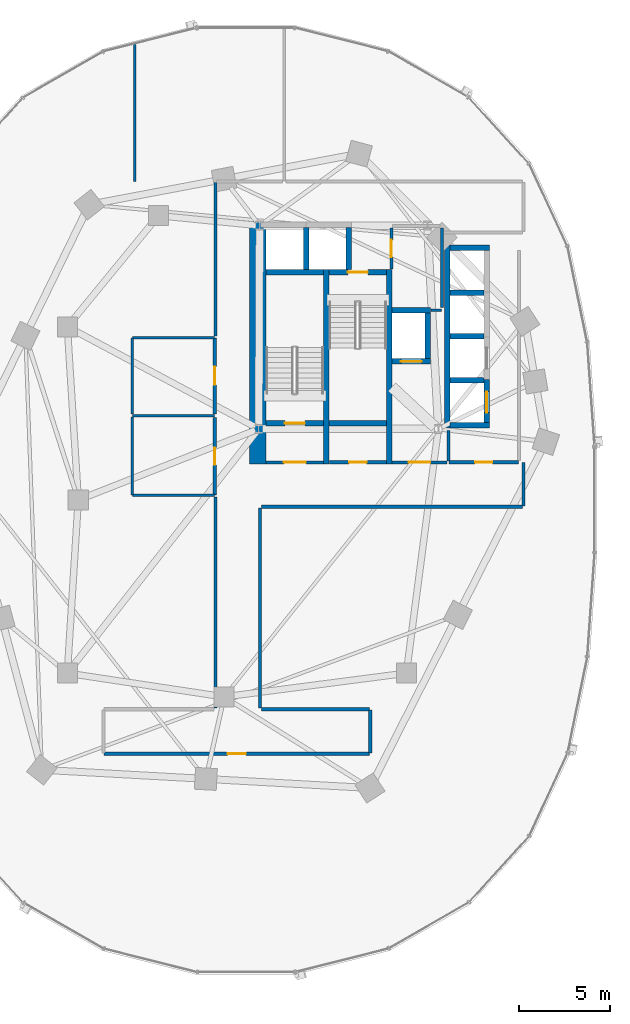
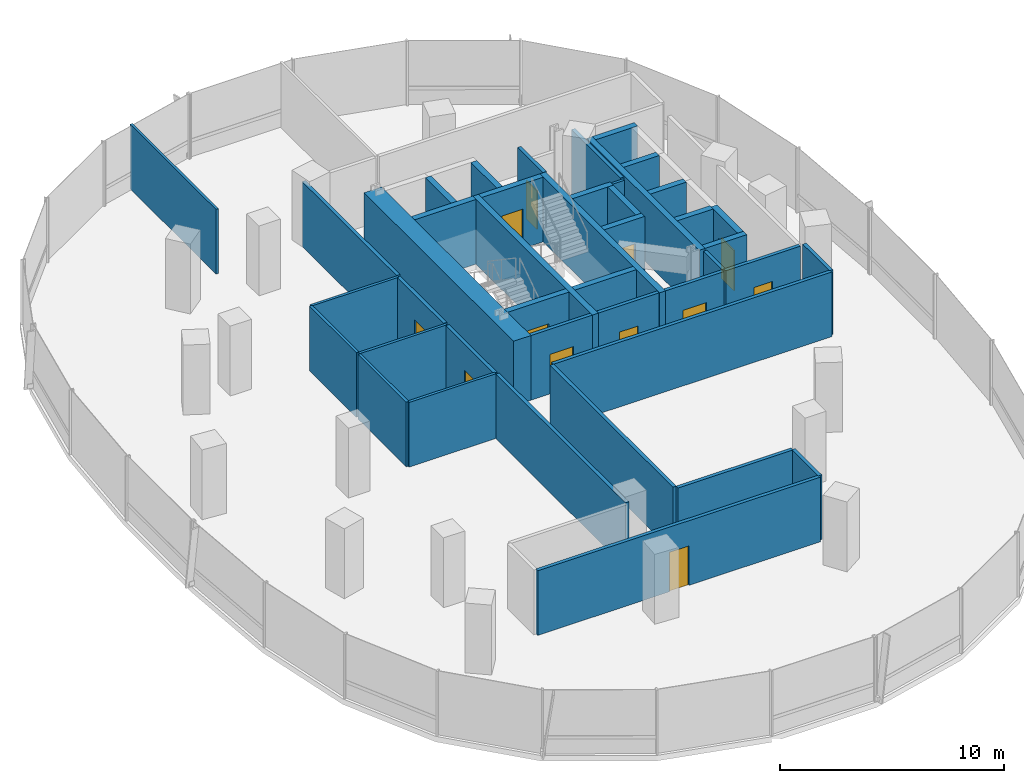
# One storey, part 11 of 21: 43 walls, 12 doors, 12 openings.
"""IFC4 building model written with IfcOpenShell, lengths in metres."""

from ifc_helpers import new_model, si_unit, direction, frame, frame_2d, origin, place, context, subcontext, project, spatial, rectangle, extrude, material, layer, layer_set, type_object, element, fill, save


model = new_model("IFC4")

# Units and contexts
model_context = context("Model", 3, precision=1e-05, world=origin(), true_north=direction((0.0, 1.0)))
body_context = subcontext(model_context, "Body", "Model", "MODEL_VIEW")
ifc_project = project(units=[si_unit("LENGTHUNIT", "METRE"), si_unit("AREAUNIT", "SQUARE_METRE"), si_unit("VOLUMEUNIT", "CUBIC_METRE"), si_unit("PLANEANGLEUNIT", "RADIAN"), si_unit("MASSUNIT", "GRAM", prefix="KILO"), si_unit("THERMODYNAMICTEMPERATUREUNIT", "KELVIN"), si_unit("POWERUNIT", "WATT")], contexts=[model_context])

# Site, building, storey
site_placement = place(None, origin())
site = spatial("IfcSite", under=ifc_project, at=site_placement, CompositionType="ELEMENT")
building_placement = place(site_placement, origin())
building = spatial("IfcBuilding", under=site, at=building_placement, Name="Cundina Bronze Exchange", CompositionType="ELEMENT")
storey_placement = place(building_placement, frame((0.0, 0.0, 73.39990234375)))
storey = spatial("IfcBuildingStorey", under=building, at=storey_placement, Name="L18", CompositionType="ELEMENT", Elevation=73.39990234375)

# Wall
ifc_material_1 = material(Name="Gypsum Fireboard Partition EI120")
ifc_layer_1 = layer(ifc_material_1, 0.179931640625, Name="Gypsum Fireboard Partition EI120")
ifc_layer_set_1 = layer_set([ifc_layer_1], Name="Gypsum Fireboard Partition EI120")
wall_type_1 = type_object("IfcWallType", Name="WL-COR-180", PredefinedType="PARTITIONING", material=ifc_layer_set_1)
wall_1_placement = place(storey_placement, frame((-20.889892578125, 2.14990234375, 0.0), z_axis=(0.0, 0.0, 1.0), x_axis=(0.0, 1.0, 0.0)))
element("IfcWall", 1, at=wall_1_placement, inside=storey, type_object=wall_type_1, Name="L18 W Firefighting Lobby Side Wall", PredefinedType="PARTITIONING", context=body_context, shape_type="SweptSolid", body=[
    extrude(rectangle(XDim=1.650146484375, YDim=0.179931640625, at=frame_2d((0.8251953125, 0.0))), origin(), (0.0, 0.0, 1.0), 3.52001953125),
])

# Wall, opening, door
wall_2_placement = place(storey_placement, frame((-23.97998046875, 2.06005859375, 0.0), z_axis=(0.0, 0.0, 1.0), x_axis=(1.0, 0.0, 0.0)))
wall_2 = element("IfcWall", 2, at=wall_2_placement, inside=storey, type_object=wall_type_1, Name="L18 W Firefighting Lobby Exit Wall", PredefinedType="PARTITIONING", context=body_context, shape_type="SweptSolid", body=[
    extrude(rectangle(XDim=3.0, YDim=0.179931640625, at=frame_2d((1.5, 0.0))), origin(), (0.0, 0.0, 1.0), 3.52001953125),
])
opening_1_placement = place(wall_2_placement, frame((0.89990234375, 0.0, 0.0)))
opening_1 = element("IfcOpeningElement", 3, at=opening_1_placement, cuts=wall_2, Name="Opening DF-01", PredefinedType="OPENING", context=body_context, shape_type="SweptSolid", body=[
    extrude(rectangle(XDim=1.199951171875, YDim=2.14990234375, at=frame_2d((0.60009765625, 1.074951171875))), frame((0.0, 0.099853515625, 0.0), z_axis=(0.0, -1.0, 0.0), x_axis=(1.0, 0.0, 0.0)), (0.0, 0.0, 1.0), 0.199951171875),
])
ifc_material_2 = material(Name="Steel ASTM A36 Painted", Category="steel")
door_type_1 = type_object("IfcDoorType", Name="DR-FFL-1200", OperationType="NOTDEFINED", PredefinedType="DOOR", material=ifc_material_2)
door_1_placement = place(opening_1_placement, origin())
door_1 = element("IfcDoor", 4, at=door_1_placement, inside=storey, type_object=door_type_1, Name="L18 W Firefighting Lobby Door", OperationType="SINGLE_SWING_RIGHT", OverallHeight=2.14990234375, OverallWidth=1.199951171875, PredefinedType="DOOR", context=body_context, shape_type="SweptSolid", body=[
    extrude(rectangle(XDim=1.199951171875, YDim=2.14990234375, at=frame_2d((0.60009765625, 1.074951171875))), frame((0.0, 0.02490234375, 0.0), z_axis=(0.0, -1.0, 0.0), x_axis=(1.0, 0.0, 0.0)), (0.0, 0.0, 1.0), 0.050048828125),
])
fill(opening_1, door_1)

wall_3_placement = place(storey_placement, frame((-30.89990234375, 2.06005859375, 0.0), z_axis=(0.0, 0.0, 1.0), x_axis=(1.0, 0.0, 0.0)))
wall_3 = element("IfcWall", 5, at=wall_3_placement, inside=storey, type_object=wall_type_1, Name="L18 W Stair Vestibule Exit Wall", PredefinedType="PARTITIONING", context=body_context, shape_type="SweptSolid", body=[
    extrude(rectangle(XDim=3.159912109375, YDim=0.179931640625, at=frame_2d((1.580078125, 0.0))), origin(), (0.0, 0.0, 1.0), 3.52001953125),
])
opening_2_placement = place(wall_3_placement, frame((0.97998046875, 0.0, 0.0)))
opening_2 = element("IfcOpeningElement", 6, at=opening_2_placement, cuts=wall_3, Name="Opening DF-01", PredefinedType="OPENING", context=body_context, shape_type="SweptSolid", body=[
    extrude(rectangle(XDim=1.199951171875, YDim=2.14990234375, at=frame_2d((0.60009765625, 1.074951171875))), frame((0.0, 0.099853515625, 0.0), z_axis=(0.0, -1.0, 0.0), x_axis=(1.0, 0.0, 0.0)), (0.0, 0.0, 1.0), 0.199951171875),
])
door_2_placement = place(opening_2_placement, origin())
door_2 = element("IfcDoor", 7, at=door_2_placement, inside=storey, type_object=door_type_1, Name="L18 W Stair Vestibule Door", OperationType="SINGLE_SWING_LEFT", OverallHeight=2.14990234375, OverallWidth=1.199951171875, PredefinedType="DOOR", context=body_context, shape_type="SweptSolid", body=[
    extrude(rectangle(XDim=1.199951171875, YDim=2.14990234375, at=frame_2d((0.60009765625, 1.074951171875))), frame((0.0, 0.02490234375, 0.0), z_axis=(0.0, -1.0, 0.0), x_axis=(1.0, 0.0, 0.0)), (0.0, 0.0, 1.0), 0.050048828125),
])
fill(opening_2, door_2)

wall_4_placement = place(storey_placement, frame((-20.8701171875, 2.070068359375, 0.0), z_axis=(0.0, 0.0, 1.0), x_axis=(1.0, 0.0, 0.0)))
wall_4 = element("IfcWall", 8, at=wall_4_placement, inside=storey, type_object=wall_type_1, Name="L18 Interior Partition 002", PredefinedType="PARTITIONING", context=body_context, shape_type="SweptSolid", body=[
    extrude(rectangle(XDim=3.830078125, YDim=0.179931640625, at=frame_2d((1.9150390625, 0.0))), origin(), (0.0, 0.0, 1.0), 3.52001953125),
])
opening_3_placement = place(wall_4_placement, frame((1.43994140625, 0.0, 0.0)))
opening_3 = element("IfcOpeningElement", 9, at=opening_3_placement, cuts=wall_4, Name="Opening DW-01", PredefinedType="OPENING", context=body_context, shape_type="SweptSolid", body=[
    extrude(rectangle(XDim=0.949951171875, YDim=2.10009765625, at=frame_2d((0.47509765625, 1.050048828125))), frame((0.0, 0.099853515625, 0.0), z_axis=(0.0, -1.0, 0.0), x_axis=(1.0, 0.0, 0.0)), (0.0, 0.0, 1.0), 0.199951171875),
])
ifc_material_3 = material(Name="Solid Andean Oak Timber Grade A", Category="wood")
door_type_2 = type_object("IfcDoorType", Name="DR-WC-950", OperationType="NOTDEFINED", PredefinedType="DOOR", material=ifc_material_3)
door_3_placement = place(opening_3_placement, origin())
door_3 = element("IfcDoor", 10, at=door_3_placement, inside=storey, type_object=door_type_2, Name="L18 Interior Door 002", OperationType="SINGLE_SWING_LEFT", OverallHeight=2.10009765625, OverallWidth=0.949951171875, PredefinedType="DOOR", context=body_context, shape_type="SweptSolid", body=[
    extrude(rectangle(XDim=0.949951171875, YDim=2.10009765625, at=frame_2d((0.47509765625, 1.050048828125))), frame((0.0, 0.02490234375, 0.0), z_axis=(0.0, -1.0, 0.0), x_axis=(1.0, 0.0, 0.0)), (0.0, 0.0, 1.0), 0.050048828125),
])
fill(opening_3, door_3)

# Wall
wall_5_placement = place(storey_placement, frame((-21.25, 10.570068359375, 0.0), z_axis=(0.0, 0.0, 1.0), x_axis=(0.0, 1.0, 0.0)))
element("IfcWall", 11, at=wall_5_placement, inside=storey, type_object=wall_type_1, Name="L18 Interior Partition 004", PredefinedType="PARTITIONING", context=body_context, shape_type="SweptSolid", body=[
    extrude(rectangle(XDim=4.35986328125, YDim=0.179931640625, at=frame_2d((2.179931640625, 0.0))), origin(), (0.0, 0.0, 1.0), 3.52001953125),
])

# Wall, opening, door
wall_6_placement = place(storey_placement, frame((-27.419921875, 2.070068359375, 0.0), z_axis=(0.0, 0.0, 1.0), x_axis=(1.0, 0.0, 0.0)))
wall_6 = element("IfcWall", 12, at=wall_6_placement, inside=storey, type_object=wall_type_1, Name="L18 Interior Partition 006", PredefinedType="PARTITIONING", context=body_context, shape_type="SweptSolid", body=[
    extrude(rectangle(XDim=3.119873046875, YDim=0.179931640625, at=frame_2d((1.56005859375, 0.0))), origin(), (0.0, 0.0, 1.0), 3.52001953125),
])
opening_4_placement = place(wall_6_placement, frame((1.0849609375, 0.0, 0.0)))
opening_4 = element("IfcOpeningElement", 13, at=opening_4_placement, cuts=wall_6, Name="Opening DW-01", PredefinedType="OPENING", context=body_context, shape_type="SweptSolid", body=[
    extrude(rectangle(XDim=0.949951171875, YDim=2.10009765625, at=frame_2d((0.47509765625, 1.050048828125))), frame((0.0, 0.099853515625, 0.0), z_axis=(0.0, -1.0, 0.0), x_axis=(1.0, 0.0, 0.0)), (0.0, 0.0, 1.0), 0.199951171875),
])
door_4_placement = place(opening_4_placement, origin())
door_4 = element("IfcDoor", 14, at=door_4_placement, inside=storey, type_object=door_type_2, Name="L18 Interior Door 006", OperationType="SINGLE_SWING_LEFT", OverallHeight=2.10009765625, OverallWidth=0.949951171875, PredefinedType="DOOR", context=body_context, shape_type="SweptSolid", body=[
    extrude(rectangle(XDim=0.949951171875, YDim=2.10009765625, at=frame_2d((0.47509765625, 1.050048828125))), frame((0.0, 0.02490234375, 0.0), z_axis=(0.0, -1.0, 0.0), x_axis=(1.0, 0.0, 0.0)), (0.0, 0.0, 1.0), 0.050048828125),
])
fill(opening_4, door_4)

wall_7_placement = place(storey_placement, frame((-24.02001953125, 12.669921875, 0.0), z_axis=(0.0, 0.0, 1.0), x_axis=(0.0, 1.0, 0.0)))
wall_7 = element("IfcWall", 15, at=wall_7_placement, inside=storey, type_object=wall_type_1, Name="L18 Interior Partition 007", PredefinedType="PARTITIONING", context=body_context, shape_type="SweptSolid", body=[
    extrude(rectangle(XDim=2.260009765625, YDim=0.179931640625, at=frame_2d((1.1298828125, 0.0))), origin(), (0.0, 0.0, 1.0), 3.52001953125),
])
opening_5_placement = place(wall_7_placement, frame((0.655029296875, 0.0, 0.0)))
opening_5 = element("IfcOpeningElement", 16, at=opening_5_placement, cuts=wall_7, Name="Opening DW-01", PredefinedType="OPENING", context=body_context, shape_type="SweptSolid", body=[
    extrude(rectangle(XDim=0.949951171875, YDim=2.10009765625, at=frame_2d((0.47509765625, 1.050048828125))), frame((0.0, 0.099853515625, 0.0), z_axis=(0.0, -1.0, 0.0), x_axis=(1.0, 0.0, 0.0)), (0.0, 0.0, 1.0), 0.199951171875),
])
door_5_placement = place(opening_5_placement, origin())
door_5 = element("IfcDoor", 17, at=door_5_placement, inside=storey, type_object=door_type_2, Name="L18 Interior Door 007", OperationType="SINGLE_SWING_LEFT", OverallHeight=2.10009765625, OverallWidth=0.949951171875, PredefinedType="DOOR", context=body_context, shape_type="SweptSolid", body=[
    extrude(rectangle(XDim=0.949951171875, YDim=2.10009765625, at=frame_2d((0.47509765625, 1.050048828125))), frame((0.0, 0.02490234375, 0.0), z_axis=(0.0, -1.0, 0.0), x_axis=(1.0, 0.0, 0.0)), (0.0, 0.0, 1.0), 0.050048828125),
])
fill(opening_5, door_5)

wall_8_placement = place(storey_placement, frame((-33.719970703125, 0.27001953125, 0.0), z_axis=(0.0, 0.0, 1.0), x_axis=(0.0, 1.0, 0.0)))
wall_8 = element("IfcWall", 18, at=wall_8_placement, inside=storey, type_object=wall_type_1, Name="L18 Interior Partition 013", PredefinedType="PARTITIONING", context=body_context, shape_type="SweptSolid", body=[
    extrude(rectangle(XDim=4.260009765625, YDim=0.179931640625, at=frame_2d((2.1298828125, 0.0))), origin(), (0.0, 0.0, 1.0), 3.52001953125),
])
opening_6_placement = place(wall_8_placement, frame((1.655029296875, 0.0, 0.0)))
opening_6 = element("IfcOpeningElement", 19, at=opening_6_placement, cuts=wall_8, Name="Opening DW-01", PredefinedType="OPENING", context=body_context, shape_type="SweptSolid", body=[
    extrude(rectangle(XDim=0.949951171875, YDim=2.10009765625, at=frame_2d((0.47509765625, 1.050048828125))), frame((0.0, 0.099853515625, 0.0), z_axis=(0.0, -1.0, 0.0), x_axis=(1.0, 0.0, 0.0)), (0.0, 0.0, 1.0), 0.199951171875),
])
door_6_placement = place(opening_6_placement, origin())
door_6 = element("IfcDoor", 20, at=door_6_placement, inside=storey, type_object=door_type_2, Name="L18 Interior Door 013", OperationType="SINGLE_SWING_LEFT", OverallHeight=2.10009765625, OverallWidth=0.949951171875, PredefinedType="DOOR", context=body_context, shape_type="SweptSolid", body=[
    extrude(rectangle(XDim=0.949951171875, YDim=2.10009765625, at=frame_2d((0.47509765625, 1.050048828125))), frame((0.0, 0.02490234375, 0.0), z_axis=(0.0, -1.0, 0.0), x_axis=(1.0, 0.0, 0.0)), (0.0, 0.0, 1.0), 0.050048828125),
])
fill(opening_6, door_6)

wall_9_placement = place(storey_placement, frame((-33.719970703125, 4.72998046875, 0.0), z_axis=(0.0, 0.0, 1.0), x_axis=(0.0, 1.0, 0.0)))
wall_9 = element("IfcWall", 21, at=wall_9_placement, inside=storey, type_object=wall_type_1, Name="L18 Interior Partition 014", PredefinedType="PARTITIONING", context=body_context, shape_type="SweptSolid", body=[
    extrude(rectangle(XDim=4.159912109375, YDim=0.179931640625, at=frame_2d((2.080078125, 0.0))), origin(), (0.0, 0.0, 1.0), 3.52001953125),
])
opening_7_placement = place(wall_9_placement, frame((1.580078125, 0.0, 0.0)))
opening_7 = element("IfcOpeningElement", 22, at=opening_7_placement, cuts=wall_9, Name="Opening DO-01", PredefinedType="OPENING", context=body_context, shape_type="SweptSolid", body=[
    extrude(rectangle(XDim=1.0, YDim=2.14990234375, at=frame_2d((0.5, 1.074951171875))), frame((0.0, 0.099853515625, 0.0), z_axis=(0.0, -1.0, 0.0), x_axis=(1.0, 0.0, 0.0)), (0.0, 0.0, 1.0), 0.199951171875),
])
door_type_3 = type_object("IfcDoorType", Name="DR-OFF-1000", OperationType="NOTDEFINED", PredefinedType="DOOR", material=ifc_material_3)
door_7_placement = place(opening_7_placement, origin())
door_7 = element("IfcDoor", 23, at=door_7_placement, inside=storey, type_object=door_type_3, Name="L18 Interior Door 014", OperationType="SINGLE_SWING_LEFT", OverallHeight=2.14990234375, OverallWidth=1.0, PredefinedType="DOOR", context=body_context, shape_type="SweptSolid", body=[
    extrude(rectangle(XDim=1.0, YDim=2.14990234375, at=frame_2d((0.5, 1.074951171875))), frame((0.0, 0.02490234375, 0.0), z_axis=(0.0, -1.0, 0.0), x_axis=(1.0, 0.0, 0.0)), (0.0, 0.0, 1.0), 0.050048828125),
])
fill(opening_7, door_7)

wall_10_placement = place(storey_placement, frame((-39.778564453125, -13.919921875, 0.0), z_axis=(0.0, 0.0, 1.0), x_axis=(1.0, 0.0, 0.0)))
wall_10 = element("IfcWall", 24, at=wall_10_placement, inside=storey, type_object=wall_type_1, Name="L18 Interior Partition 017", PredefinedType="PARTITIONING", context=body_context, shape_type="SweptSolid", body=[
    extrude(rectangle(XDim=14.55712890625, YDim=0.179931640625, at=frame_2d((7.278564453125, 0.0))), origin(), (0.0, 0.0, 1.0), 3.52001953125),
])
opening_8_placement = place(wall_10_placement, frame((6.778564453125, 0.0, 0.0)))
opening_8 = element("IfcOpeningElement", 25, at=opening_8_placement, cuts=wall_10, Name="Opening DO-01", PredefinedType="OPENING", context=body_context, shape_type="SweptSolid", body=[
    extrude(rectangle(XDim=1.0, YDim=2.14990234375, at=frame_2d((0.5, 1.074951171875))), frame((0.0, 0.099853515625, 0.0), z_axis=(0.0, -1.0, 0.0), x_axis=(1.0, 0.0, 0.0)), (0.0, 0.0, 1.0), 0.199951171875),
])
door_8_placement = place(opening_8_placement, origin())
door_8 = element("IfcDoor", 26, at=door_8_placement, inside=storey, type_object=door_type_3, Name="L18 Interior Door 017", OperationType="SINGLE_SWING_RIGHT", OverallHeight=2.14990234375, OverallWidth=1.0, PredefinedType="DOOR", context=body_context, shape_type="SweptSolid", body=[
    extrude(rectangle(XDim=1.0, YDim=2.14990234375, at=frame_2d((0.5, 1.074951171875))), frame((0.0, 0.02490234375, 0.0), z_axis=(0.0, -1.0, 0.0), x_axis=(1.0, 0.0, 0.0)), (0.0, 0.0, 1.0), 0.050048828125),
])
fill(opening_8, door_8)

# Walls
wall_11_placement = place(storey_placement, frame((-31.14990234375, -0.3701171875, 0.0), z_axis=(0.0, 0.0, 1.0), x_axis=(1.0, 0.0, 0.0)))
element("IfcWall", 27, at=wall_11_placement, inside=storey, type_object=wall_type_1, Name="L18 Interior Partition 018", PredefinedType="PARTITIONING", context=body_context, shape_type="SweptSolid", body=[
    extrude(rectangle(XDim=14.328369140625, YDim=0.179931640625, at=frame_2d((7.1640625, 0.0))), origin(), (0.0, 0.0, 1.0), 3.52001953125),
])
wall_12_placement = place(storey_placement, frame((-33.669921875, 0.15869140625, 0.0), z_axis=(0.0, 0.0, 1.0), x_axis=(0.0, -1.0, 0.0)))
element("IfcWall", 28, at=wall_12_placement, inside=storey, type_object=wall_type_1, Name="L18 Interior Partition 020", PredefinedType="PARTITIONING", context=body_context, shape_type="SweptSolid", body=[
    extrude(rectangle(XDim=11.55859375, YDim=0.179931640625, at=frame_2d((5.779296875, 0.0))), origin(), (0.0, 0.0, 1.0), 3.52001953125),
])
wall_13_placement = place(storey_placement, frame((-31.22998046875, -11.39990234375, 0.0), z_axis=(0.0, 0.0, 1.0), x_axis=(0.0, 1.0, 0.0)))
element("IfcWall", 29, at=wall_13_placement, inside=storey, type_object=wall_type_1, Name="L18 Interior Partition 021", PredefinedType="PARTITIONING", context=body_context, shape_type="SweptSolid", body=[
    extrude(rectangle(XDim=10.949951171875, YDim=0.179931640625, at=frame_2d((5.47509765625, 0.0))), origin(), (0.0, 0.0, 1.0), 3.52001953125),
])
wall_14_placement = place(storey_placement, frame((-33.669921875, 17.428466796875, 0.0), z_axis=(0.0, 0.0, 1.0), x_axis=(0.0, -1.0, 0.0)))
element("IfcWall", 30, at=wall_14_placement, inside=storey, type_object=wall_type_1, Name="L18 Interior Partition 022", PredefinedType="PARTITIONING", context=body_context, shape_type="SweptSolid", body=[
    extrude(rectangle(XDim=8.427001953125, YDim=0.179931640625, at=frame_2d((4.21337890625, 0.0))), origin(), (0.0, 0.0, 1.0), 3.52001953125),
])
wall_15_placement = place(storey_placement, frame((-25.221435546875, -11.47998046875, 0.0), z_axis=(0.0, 0.0, 1.0), x_axis=(-1.0, 0.0, 0.0)))
element("IfcWall", 31, at=wall_15_placement, inside=storey, type_object=wall_type_1, Name="L18 Interior Partition 024", PredefinedType="PARTITIONING", context=body_context, shape_type="SweptSolid", body=[
    extrude(rectangle(XDim=5.928466796875, YDim=0.179931640625, at=frame_2d((2.96435546875, 0.0))), origin(), (0.0, 0.0, 1.0), 3.52001953125),
])
wall_16_placement = place(storey_placement, frame((-16.780029296875, -0.32861328125, 0.0), z_axis=(0.0, 0.0, 1.0), x_axis=(0.0, 1.0, 0.0)))
element("IfcWall", 32, at=wall_16_placement, inside=storey, type_object=wall_type_1, Name="L18 Interior Partition 028", PredefinedType="PARTITIONING", context=body_context, shape_type="SweptSolid", body=[
    extrude(rectangle(XDim=2.38720703125, YDim=0.179931640625, at=frame_2d((1.193603515625, 0.0))), origin(), (0.0, 0.0, 1.0), 3.52001953125),
])
wall_17_placement = place(storey_placement, frame((-25.179931640625, -13.87841796875, 0.0), z_axis=(0.0, 0.0, 1.0), x_axis=(0.0, 1.0, 0.0)))
element("IfcWall", 33, at=wall_17_placement, inside=storey, type_object=wall_type_1, Name="L18 Interior Partition 030", PredefinedType="PARTITIONING", context=body_context, shape_type="SweptSolid", body=[
    extrude(rectangle(XDim=2.35693359375, YDim=0.179931640625, at=frame_2d((1.178466796875, 0.0))), origin(), (0.0, 0.0, 1.0), 3.52001953125),
])
ifc_material_4 = material(Name="Concrete C60/75", Category="concrete")
ifc_layer_2 = layer(ifc_material_4, 0.89990234375, Name="Concrete C60/75", Category="concrete")
ifc_layer_set_2 = layer_set([ifc_layer_2], Name="Concrete C60/75")
wall_type_2 = type_object("IfcWallType", Name="WL-CORE-900", PredefinedType="SHEAR", material=ifc_layer_set_2)
wall_18_placement = place(storey_placement, frame((-31.35009765625, 1.969970703125, 0.0), z_axis=(0.0, 0.0, 1.0), x_axis=(0.0, 1.0, 0.0)))
element("IfcWall", 34, at=wall_18_placement, inside=storey, type_object=wall_type_2, Name="L18 W Primary Core Shear Spine Wall", PredefinedType="SHEAR", context=body_context, shape_type="SweptSolid", body=[
    extrude(rectangle(XDim=13.330078125, YDim=0.89990234375, at=frame_2d((6.6650390625, 0.0))), origin(), (0.0, 0.0, 1.0), 3.52001953125),
])
ifc_material_5 = material(Name="Gypsum Acoustic Partition EI60")
ifc_layer_3 = layer(ifc_material_5, 0.125, Name="Gypsum Acoustic Partition EI60")
ifc_layer_set_3 = layer_set([ifc_layer_3], Name="Gypsum Acoustic Partition EI60")
wall_type_3 = type_object("IfcWallType", Name="WL-OFF-125", PredefinedType="PARTITIONING", material=ifc_layer_set_3)
wall_19_placement = place(storey_placement, frame((-38.10009765625, 17.469970703125, 0.0), z_axis=(0.0, 0.0, 1.0), x_axis=(0.0, 1.0, 0.0)))
element("IfcWall", 35, at=wall_19_placement, inside=storey, type_object=wall_type_3, Name="L18 Interior Partition 015", PredefinedType="PARTITIONING", context=body_context, shape_type="SweptSolid", body=[
    extrude(rectangle(XDim=7.65625, YDim=0.125, at=frame_2d((3.828125, 0.0))), origin(), (0.0, 0.0, 1.0), 3.52001953125),
])
ifc_material_6 = material(Name="Concrete C50/60", Category="concrete")
ifc_layer_4 = layer(ifc_material_6, 0.300048828125, Name="Concrete C50/60", Category="concrete")
ifc_layer_set_4 = layer_set([ifc_layer_4], Name="Concrete C50/60")
wall_type_4 = type_object("IfcWallType", Name="WL-SHFT-300", PredefinedType="SHEAR", material=ifc_layer_set_4)
for number, where, z_axis, x_axis, name in (
    (36, (-27.590087890625, 1.969970703125, 0.0), (0.0, 0.0, 1.0), (0.0, 1.0, 0.0), "L18 W Stair Shaft Dividing Shear Wall"),
    (37, (-24.1298828125, 1.969970703125, 0.0), (0.0, 0.0, 1.0), (0.0, 1.0, 0.0), "L18 W Stair 2 East Shear Wall"),
):
    element("IfcWall", number, at=place(storey_placement, frame(where, z_axis=z_axis, x_axis=x_axis)), inside=storey, type_object=wall_type_4, Name=name, PredefinedType="SHEAR", context=body_context, shape_type="SweptSolid", body=[
        extrude(rectangle(XDim=10.679931640625, YDim=0.300048828125, at=frame_2d((5.33984375, 0.0))), origin(), (0.0, 0.0, 1.0), 3.52001953125),
    ])

# Wall, opening, door
wall_20_placement = place(storey_placement, frame((-30.89990234375, 4.199951171875, 0.0), z_axis=(0.0, 0.0, 1.0), x_axis=(1.0, 0.0, 0.0)))
wall_20 = element("IfcWall", 38, at=wall_20_placement, inside=storey, type_object=wall_type_4, Name="L18 Stair W1 Landing Wall", PredefinedType="SHEAR", context=body_context, shape_type="SweptSolid", body=[
    extrude(rectangle(XDim=3.159912109375, YDim=0.300048828125, at=frame_2d((1.580078125, 0.0))), origin(), (0.0, 0.0, 1.0), 3.52001953125),
])
opening_9_placement = place(wall_20_placement, frame((1.030029296875, 0.0, 0.0)))
opening_9 = element("IfcOpeningElement", 39, at=opening_9_placement, cuts=wall_20, Name="Opening DS-01", PredefinedType="OPENING", context=body_context, shape_type="SweptSolid", body=[
    extrude(rectangle(XDim=1.10009765625, YDim=2.14990234375, at=frame_2d((0.550048828125, 1.074951171875))), frame((0.0, 0.159912109375, 0.0), z_axis=(0.0, -1.0, 0.0), x_axis=(1.0, 0.0, 0.0)), (0.0, 0.0, 1.0), 0.320068359375),
])
door_type_4 = type_object("IfcDoorType", Name="DR-STR-1100", OperationType="NOTDEFINED", PredefinedType="DOOR", material=ifc_material_2)
door_9_placement = place(opening_9_placement, origin())
door_9 = element("IfcDoor", 40, at=door_9_placement, inside=storey, type_object=door_type_4, Name="L18 Smokeproof Stair W1 Door", OperationType="SINGLE_SWING_RIGHT", OverallHeight=2.14990234375, OverallWidth=1.10009765625, PredefinedType="DOOR", context=body_context, shape_type="SweptSolid", body=[
    extrude(rectangle(XDim=1.10009765625, YDim=2.14990234375, at=frame_2d((0.550048828125, 1.074951171875))), frame((0.0, 0.02490234375, 0.0), z_axis=(0.0, -1.0, 0.0), x_axis=(1.0, 0.0, 0.0)), (0.0, 0.0, 1.0), 0.050048828125),
])
fill(opening_9, door_9)

# Wall
wall_21_placement = place(storey_placement, frame((-30.89990234375, 12.5, 0.0), z_axis=(0.0, 0.0, 1.0), x_axis=(1.0, 0.0, 0.0)))
element("IfcWall", 41, at=wall_21_placement, inside=storey, type_object=wall_type_4, Name="L18 Stair W1 Far Shaft Wall", PredefinedType="SHEAR", context=body_context, shape_type="SweptSolid", body=[
    extrude(rectangle(XDim=3.159912109375, YDim=0.300048828125, at=frame_2d((1.580078125, 0.0))), origin(), (0.0, 0.0, 1.0), 3.52001953125),
])

# Wall, opening, door
wall_22_placement = place(storey_placement, frame((-27.43994140625, 12.5, 0.0), z_axis=(0.0, 0.0, 1.0), x_axis=(1.0, 0.0, 0.0)))
wall_22 = element("IfcWall", 42, at=wall_22_placement, inside=storey, type_object=wall_type_4, Name="L18 Stair W2 Landing Wall", PredefinedType="SHEAR", context=body_context, shape_type="SweptSolid", body=[
    extrude(rectangle(XDim=3.159912109375, YDim=0.300048828125, at=frame_2d((1.580078125, 0.0))), origin(), (0.0, 0.0, 1.0), 3.52001953125),
])
opening_10_placement = place(wall_22_placement, frame((1.030029296875, 0.0, 0.0)))
opening_10 = element("IfcOpeningElement", 43, at=opening_10_placement, cuts=wall_22, Name="Opening DS-01", PredefinedType="OPENING", context=body_context, shape_type="SweptSolid", body=[
    extrude(rectangle(XDim=1.10009765625, YDim=2.14990234375, at=frame_2d((0.550048828125, 1.074951171875))), frame((0.0, 0.159912109375, 0.0), z_axis=(0.0, -1.0, 0.0), x_axis=(1.0, 0.0, 0.0)), (0.0, 0.0, 1.0), 0.320068359375),
])
door_10_placement = place(opening_10_placement, origin())
door_10 = element("IfcDoor", 44, at=door_10_placement, inside=storey, type_object=door_type_4, Name="L18 Smokeproof Stair W2 Door", OperationType="SINGLE_SWING_LEFT", OverallHeight=2.14990234375, OverallWidth=1.10009765625, PredefinedType="DOOR", context=body_context, shape_type="SweptSolid", body=[
    extrude(rectangle(XDim=1.10009765625, YDim=2.14990234375, at=frame_2d((0.550048828125, 1.074951171875))), frame((0.0, 0.02490234375, 0.0), z_axis=(0.0, -1.0, 0.0), x_axis=(1.0, 0.0, 0.0)), (0.0, 0.0, 1.0), 0.050048828125),
])
fill(opening_10, door_10)

# Wall
wall_23_placement = place(storey_placement, frame((-27.43994140625, 4.199951171875, 0.0), z_axis=(0.0, 0.0, 1.0), x_axis=(1.0, 0.0, 0.0)))
element("IfcWall", 45, at=wall_23_placement, inside=storey, type_object=wall_type_4, Name="L18 Stair W2 Far Shaft Wall", PredefinedType="SHEAR", context=body_context, shape_type="SweptSolid", body=[
    extrude(rectangle(XDim=3.159912109375, YDim=0.300048828125, at=frame_2d((1.580078125, 0.0))), origin(), (0.0, 0.0, 1.0), 3.52001953125),
])

# Wall, opening, door
wall_24_placement = place(storey_placement, frame((-23.97998046875, 7.60009765625, 0.0), z_axis=(0.0, 0.0, 1.0), x_axis=(1.0, 0.0, 0.0)))
wall_24 = element("IfcWall", 46, at=wall_24_placement, inside=storey, type_object=wall_type_4, Name="L18 FFL-W Hoistway Front Wall", PredefinedType="SHEAR", context=body_context, shape_type="SweptSolid", body=[
    extrude(rectangle(XDim=2.10009765625, YDim=0.300048828125, at=frame_2d((1.050048828125, 0.0))), origin(), (0.0, 0.0, 1.0), 3.52001953125),
])
opening_11_placement = place(wall_24_placement, frame((0.47509765625, 0.0, 0.0)))
opening_11 = element("IfcOpeningElement", 47, at=opening_11_placement, cuts=wall_24, Name="Opening LD-01", PredefinedType="OPENING", context=body_context, shape_type="SweptSolid", body=[
    extrude(rectangle(XDim=1.14990234375, YDim=2.199951171875, at=frame_2d((0.574951171875, 1.10009765625))), frame((0.0, 0.159912109375, 0.0), z_axis=(0.0, -1.0, 0.0), x_axis=(1.0, 0.0, 0.0)), (0.0, 0.0, 1.0), 0.320068359375),
])
door_type_5 = type_object("IfcDoorType", Name="DR-LND-1150", OperationType="NOTDEFINED", PredefinedType="TRAPDOOR", material=ifc_material_2)
door_11_placement = place(opening_11_placement, origin())
door_11 = element("IfcDoor", 48, at=door_11_placement, inside=storey, type_object=door_type_5, Name="L18 FFL-W Sliding Landing Door", OperationType="SLIDING_TO_LEFT", OverallHeight=2.199951171875, OverallWidth=1.14990234375, PredefinedType="TRAPDOOR", context=body_context, shape_type="SweptSolid", body=[
    extrude(rectangle(XDim=1.14990234375, YDim=2.199951171875, at=frame_2d((0.574951171875, 1.10009765625))), frame((0.0, 0.02490234375, 0.0), z_axis=(0.0, -1.0, 0.0), x_axis=(1.0, 0.0, 0.0)), (0.0, 0.0, 1.0), 0.050048828125),
])
fill(opening_11, door_11)

# Walls
wall_25_placement = place(storey_placement, frame((-23.97998046875, 10.39990234375, 0.0), z_axis=(0.0, 0.0, 1.0), x_axis=(1.0, 0.0, 0.0)))
element("IfcWall", 49, at=wall_25_placement, inside=storey, type_object=wall_type_4, Name="L18 FFL-W Hoistway Back Wall", PredefinedType="SHEAR", context=body_context, shape_type="SweptSolid", body=[
    extrude(rectangle(XDim=2.10009765625, YDim=0.300048828125, at=frame_2d((1.050048828125, 0.0))), origin(), (0.0, 0.0, 1.0), 3.52001953125),
])
wall_26_placement = place(storey_placement, frame((-22.030029296875, 7.75, 0.0), z_axis=(0.0, 0.0, 1.0), x_axis=(0.0, 1.0, 0.0)))
element("IfcWall", 50, at=wall_26_placement, inside=storey, type_object=wall_type_4, Name="L18 FFL-W Hoistway Side Wall", PredefinedType="SHEAR", context=body_context, shape_type="SweptSolid", body=[
    extrude(rectangle(XDim=2.5, YDim=0.300048828125, at=frame_2d((1.25, 0.0))), origin(), (0.0, 0.0, 1.0), 3.52001953125),
])
for number, where, z_axis, x_axis, name in (
    (51, (-28.699951171875, 12.64990234375, 0.0), (0.0, 0.0, 1.0), (0.0, 1.0, 0.0), "L18 PH-W1 Hoistway Divider Wall"),
    (52, (-26.35009765625, 12.64990234375, 0.0), (0.0, 0.0, 1.0), (0.0, 1.0, 0.0), "L18 PH-W2 Hoistway Divider Wall"),
):
    element("IfcWall", number, at=place(storey_placement, frame(where, z_axis=z_axis, x_axis=x_axis)), inside=storey, type_object=wall_type_4, Name=name, PredefinedType="SHEAR", context=body_context, shape_type="SweptSolid", body=[
        extrude(rectangle(XDim=2.300048828125, YDim=0.300048828125, at=frame_2d((1.14990234375, 0.0))), origin(), (0.0, 0.0, 1.0), 3.52001953125),
    ])
wall_27_placement = place(storey_placement, frame((-20.949951171875, 3.949951171875, 0.0), z_axis=(0.0, 0.0, 1.0), x_axis=(0.0, 1.0, 0.0)))
element("IfcWall", 53, at=wall_27_placement, inside=storey, type_object=wall_type_4, Name="L18 W Passenger Bank Hoistway Back Wall", PredefinedType="SHEAR", context=body_context, shape_type="SweptSolid", body=[
    extrude(rectangle(XDim=10.050048828125, YDim=0.300048828125, at=frame_2d((5.02490234375, 0.0))), origin(), (0.0, 0.0, 1.0), 3.52001953125),
])
for number, where, z_axis, x_axis, name in (
    (54, (-20.800048828125, 4.10009765625, 0.0), (0.0, 0.0, 1.0), (1.0, 0.0, 0.0), "L18 W Passenger Bank South Cap Wall"),
    (55, (-20.800048828125, 13.85009765625, 0.0), (0.0, 0.0, 1.0), (1.0, 0.0, 0.0), "L18 W Passenger Bank North Cap Wall"),
):
    element("IfcWall", number, at=place(storey_placement, frame(where, z_axis=z_axis, x_axis=x_axis)), inside=storey, type_object=wall_type_4, Name=name, PredefinedType="SHEAR", context=body_context, shape_type="SweptSolid", body=[
        extrude(rectangle(XDim=2.150146484375, YDim=0.300048828125, at=frame_2d((1.0751953125, 0.0))), origin(), (0.0, 0.0, 1.0), 3.52001953125),
    ])
for number, where, z_axis, x_axis, name in (
    (56, (-20.800048828125, 6.574951171875, 0.0), (0.0, 0.0, 1.0), (1.0, 0.0, 0.0), "L18 W Passenger Hoistway Divider 1"),
    (57, (-20.800048828125, 8.97509765625, 0.0), (0.0, 0.0, 1.0), (1.0, 0.0, 0.0), "L18 W Passenger Hoistway Divider 2"),
    (58, (-20.800048828125, 11.375, 0.0), (0.0, 0.0, 1.0), (1.0, 0.0, 0.0), "L18 W Passenger Hoistway Divider 3"),
):
    element("IfcWall", number, at=place(storey_placement, frame(where, z_axis=z_axis, x_axis=x_axis)), inside=storey, type_object=wall_type_4, Name=name, PredefinedType="SHEAR", context=body_context, shape_type="SweptSolid", body=[
        extrude(rectangle(XDim=1.85009765625, YDim=0.300048828125, at=frame_2d((0.925048828125, 0.0))), origin(), (0.0, 0.0, 1.0), 3.52001953125),
    ])

# Wall, opening, door
wall_28_placement = place(storey_placement, frame((-18.800048828125, 4.1298828125, 0.0), z_axis=(0.0, 0.0, 1.0), x_axis=(0.0, 1.0, 0.0)))
wall_28 = element("IfcWall", 59, at=wall_28_placement, inside=storey, type_object=wall_type_4, Name="L18 PL-W2 Hoistway Front Wall", PredefinedType="SHEAR", context=body_context, shape_type="SweptSolid", body=[
    extrude(rectangle(XDim=2.490234375, YDim=0.300048828125, at=frame_2d((1.2451171875, 0.0))), origin(), (0.0, 0.0, 1.0), 3.52001953125),
])
opening_12_placement = place(wall_28_placement, frame((0.669921875, 0.0, 0.0)))
opening_12 = element("IfcOpeningElement", 60, at=opening_12_placement, cuts=wall_28, Name="Opening LD-01", PredefinedType="OPENING", context=body_context, shape_type="SweptSolid", body=[
    extrude(rectangle(XDim=1.14990234375, YDim=2.199951171875, at=frame_2d((0.574951171875, 1.10009765625))), frame((0.0, 0.159912109375, 0.0), z_axis=(0.0, -1.0, 0.0), x_axis=(1.0, 0.0, 0.0)), (0.0, 0.0, 1.0), 0.320068359375),
])
door_12_placement = place(opening_12_placement, origin())
door_12 = element("IfcDoor", 61, at=door_12_placement, inside=storey, type_object=door_type_5, Name="L18 PL-W2 Sliding Landing Door", OperationType="SLIDING_TO_LEFT", OverallHeight=2.199951171875, OverallWidth=1.14990234375, PredefinedType="TRAPDOOR", context=body_context, shape_type="SweptSolid", body=[
    extrude(rectangle(XDim=1.14990234375, YDim=2.199951171875, at=frame_2d((0.574951171875, 1.10009765625))), frame((0.0, 0.02490234375, 0.0), z_axis=(0.0, -1.0, 0.0), x_axis=(1.0, 0.0, 0.0)), (0.0, 0.0, 1.0), 0.050048828125),
])
fill(opening_12, door_12)

# Walls
ifc_material_7 = material(Name="Moisture-Resistant Masonry Block Grade M15", Category="masonry")
ifc_layer_5 = layer(ifc_material_7, 0.139892578125, Name="Moisture-Resistant Masonry Block Grade M15", Category="masonry")
ifc_layer_set_5 = layer_set([ifc_layer_5], Name="Moisture-Resistant Masonry Block Grade M15")
wall_type_5 = type_object("IfcWallType", Name="WL-WET-140", PredefinedType="PARTITIONING", material=ifc_layer_set_5)
wall_29_placement = place(storey_placement, frame((-21.860107421875, 10.39990234375, 0.0), z_axis=(0.0, 0.0, 1.0), x_axis=(1.0, 0.0, 0.0)))
element("IfcWall", 62, at=wall_29_placement, inside=storey, type_object=wall_type_5, Name="L18 Interior Partition 003", PredefinedType="PARTITIONING", context=body_context, shape_type="SweptSolid", body=[
    extrude(rectangle(XDim=0.590087890625, YDim=0.139892578125, at=frame_2d((0.294921875, 0.0))), origin(), (0.0, 0.0, 1.0), 3.52001953125),
])
wall_30_placement = place(storey_placement, frame((-38.239990234375, 0.27001953125, 0.0), z_axis=(0.0, 0.0, 1.0), x_axis=(0.0, 1.0, 0.0)))
element("IfcWall", 63, at=wall_30_placement, inside=storey, type_object=wall_type_5, Name="L18 Interior Partition 008", PredefinedType="PARTITIONING", context=body_context, shape_type="SweptSolid", body=[
    extrude(rectangle(XDim=4.27490234375, YDim=0.139892578125, at=frame_2d((2.137451171875, 0.0))), origin(), (0.0, 0.0, 1.0), 3.52001953125),
])
wall_31_placement = place(storey_placement, frame((-38.239990234375, 4.715087890625, 0.0), z_axis=(0.0, 0.0, 1.0), x_axis=(0.0, 1.0, 0.0)))
element("IfcWall", 64, at=wall_31_placement, inside=storey, type_object=wall_type_5, Name="L18 Interior Partition 009", PredefinedType="PARTITIONING", context=body_context, shape_type="SweptSolid", body=[
    extrude(rectangle(XDim=4.1748046875, YDim=0.139892578125, at=frame_2d((2.08740234375, 0.0))), origin(), (0.0, 0.0, 1.0), 3.52001953125),
])
for number, where, z_axis, x_axis, name in (
    (65, (-38.219970703125, 0.25, 0.0), (0.0, 0.0, 1.0), (1.0, 0.0, 0.0), "L18 Interior Partition 010"),
    (66, (-38.219970703125, 4.6298828125, 0.0), (0.0, 0.0, 1.0), (1.0, 0.0, 0.0), "L18 Interior Partition 011"),
    (67, (-38.219970703125, 8.909912109375, 0.0), (0.0, 0.0, 1.0), (1.0, 0.0, 0.0), "L18 Interior Partition 012"),
):
    element("IfcWall", number, at=place(storey_placement, frame(where, z_axis=z_axis, x_axis=x_axis)), inside=storey, type_object=wall_type_5, Name=name, PredefinedType="PARTITIONING", context=body_context, shape_type="SweptSolid", body=[
        extrude(rectangle(XDim=4.47998046875, YDim=0.139892578125, at=frame_2d((2.239990234375, 0.0))), origin(), (0.0, 0.0, 1.0), 3.52001953125),
    ])

save(model, "model.ifc")
